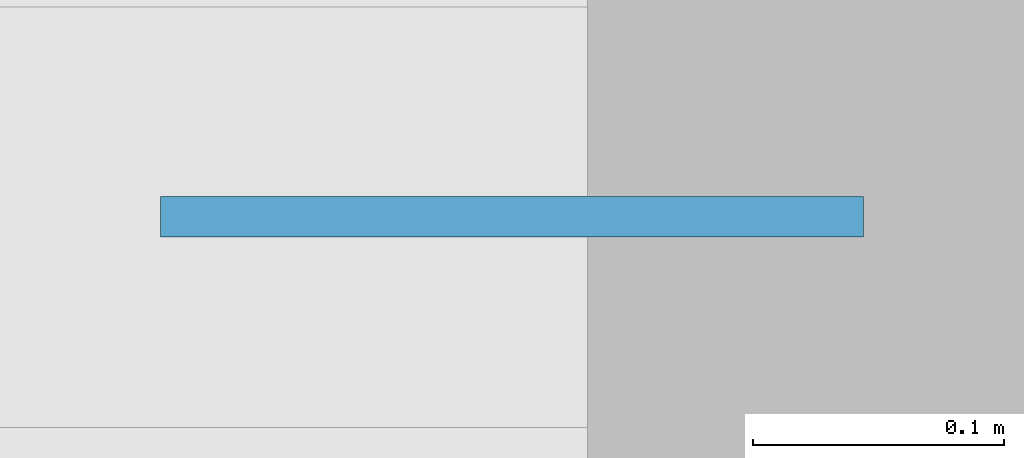
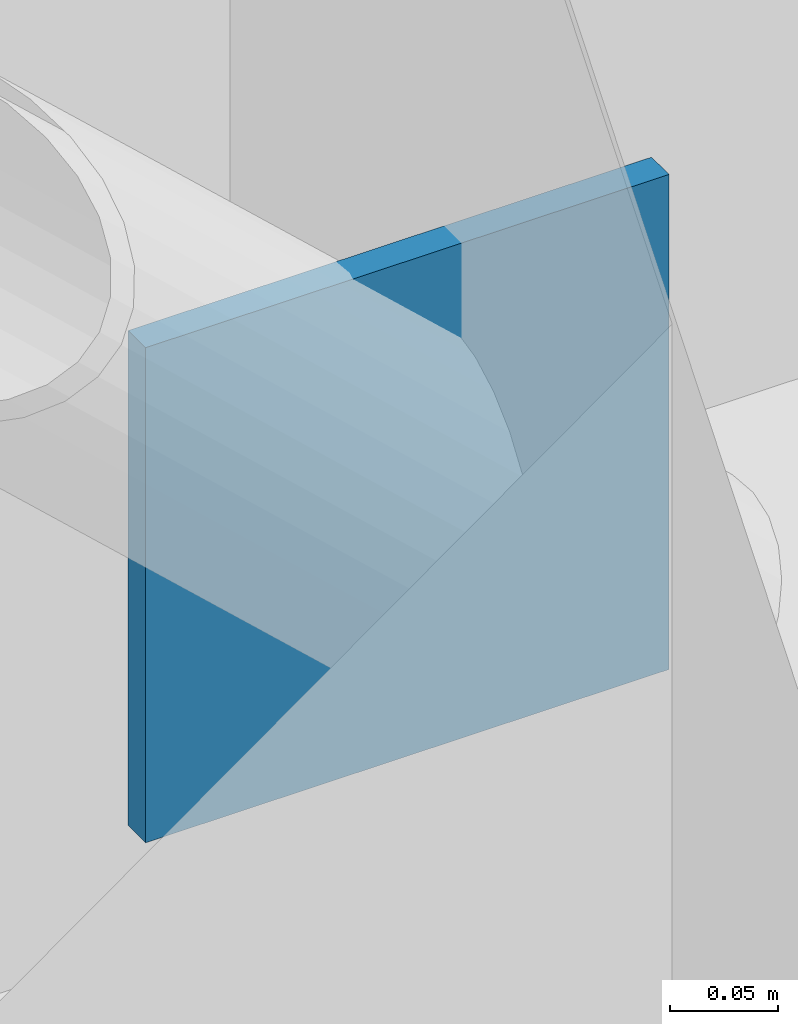
# One storey, part 23 of 33: 1 plate.
"""IFC4 building model written with IfcOpenShell, lengths in metres."""

import ifcopenshell
import ifcopenshell.guid

model = None  # the IFC model being written
_history = None  # IfcOwnerHistory: only IFC2X3 demands one
_inside = {}  # id of a spatial element -> (the spatial element, [elements in it])
_under = {}  # id of a project, library or spatial element -> (it, [spatial elements below it])
_declared = {}  # id of a project -> (the project, [libraries it declares])
_typed = {}  # id of a type object -> (the type object, [elements of that type])
_made_of = {}  # id of a material, layer set ... -> (it, [elements and type objects made of it])


def new_model(schema):
    """Start an empty IFC model of exactly this schema.

    Asked for "IFC4X3", IfcOpenShell would pick the latest addendum, in which some entities
    have other attributes; the version numbers below select the first issue.
    IFC2X3 requires an IfcOwnerHistory on every rooted entity: one is made here for all.
    """
    global model, _history
    if schema == "IFC4X3":
        model = ifcopenshell.file(schema_version=(4, 3, 0, 0))
    else:
        model = ifcopenshell.file(schema=schema)
    _inside.clear()
    _under.clear()
    _declared.clear()
    _typed.clear()
    _made_of.clear()
    _history = None
    if model.schema == "IFC2X3":
        org = make("IfcOrganization", Name="unknown")
        user = make(
            "IfcPersonAndOrganization",
            ThePerson=make("IfcPerson", FamilyName="unknown"),
            TheOrganization=org,
        )
        app = make(
            "IfcApplication",
            ApplicationDeveloper=org,
            Version="unknown",
            ApplicationFullName="unknown",
            ApplicationIdentifier="unknown",
        )
        _history = make(
            "IfcOwnerHistory",
            OwningUser=user,
            OwningApplication=app,
            ChangeAction="ADDED",
            CreationDate=0,
        )
    return model


def make(cls, **values):
    """One entity of the class cls with the attributes given. An attribute that is None is left unset."""
    return model.create_entity(
        cls, **{name: value for name, value in values.items() if value is not None}
    )


def rooted(cls, **values):
    """An entity with a GlobalId (a new one), such as an element, a storey or a relation."""
    return make(cls, GlobalId=ifcopenshell.guid.new(), OwnerHistory=_history, **values)


def si_unit(unit_type, name, prefix=None):
    """IfcSIUnit, for example si_unit("LENGTHUNIT", "METRE", prefix="MILLI")."""
    return make("IfcSIUnit", UnitType=unit_type, Prefix=prefix, Name=name)


def derived_unit(unit_type, elements):
    """IfcDerivedUnit: a product of units, each with its exponent."""
    return make(
        "IfcDerivedUnit",
        Elements=[
            make("IfcDerivedUnitElement", Unit=unit, Exponent=power)
            for unit, power in elements
        ],
        UnitType=unit_type,
    )


def assignment(units):
    """IfcUnitAssignment: the units of a project."""
    return None if units is None else make("IfcUnitAssignment", Units=units)


def point(xyz):
    """IfcCartesianPoint."""
    return None if xyz is None else make("IfcCartesianPoint", Coordinates=xyz)


def direction(xyz):
    """IfcDirection."""
    return None if xyz is None else make("IfcDirection", DirectionRatios=xyz)


def frame(location, z_axis=None, x_axis=None):
    """IfcAxis2Placement3D, a coordinate frame: its origin and axes. An axis left out is left unset."""
    return make(
        "IfcAxis2Placement3D",
        Location=point(location),
        Axis=direction(z_axis),
        RefDirection=direction(x_axis),
    )


def frame_2d(location, x_axis=None):
    """IfcAxis2Placement2D, a coordinate frame in the plane: its origin and x axis."""
    return make(
        "IfcAxis2Placement2D", Location=point(location), RefDirection=direction(x_axis)
    )


def origin():
    """The frame at (0, 0, 0) with its axes left unset."""
    return frame((0.0, 0.0, 0.0))


def origin_2d():
    """The frame at (0, 0) in the plane with its x axis left unset."""
    return frame_2d((0.0, 0.0))


def place(relative_to, where):
    """IfcLocalPlacement: puts the frame where relative to a parent placement (None: the world)."""
    return make(
        "IfcLocalPlacement", PlacementRelTo=relative_to, RelativePlacement=where
    )


def context(
    kind, dimensions, precision=None, world=None, true_north=None, identifier=None
):
    """IfcGeometricRepresentationContext, for example the 3D "Model" context."""
    return make(
        "IfcGeometricRepresentationContext",
        ContextIdentifier=identifier,
        ContextType=kind,
        CoordinateSpaceDimension=dimensions,
        Precision=precision,
        WorldCoordinateSystem=world,
        TrueNorth=true_north,
    )


def subcontext(parent, identifier, kind, view, scale=None):
    """IfcGeometricRepresentationSubContext, for example "Body" below "Model"."""
    return make(
        "IfcGeometricRepresentationSubContext",
        ContextIdentifier=identifier,
        ContextType=kind,
        ParentContext=parent,
        TargetScale=scale,
        TargetView=view,
    )


def project(units=None, contexts=None):
    """IfcProject with its units and contexts."""
    return rooted(
        "IfcProject",
        Name="project",
        RepresentationContexts=contexts,
        UnitsInContext=assignment(units),
    )


def spatial(cls, under=None, at=None, **own):
    """A site, building, storey or space (cls), placed at a placement, below another one or the project."""
    s = rooted(cls, ObjectPlacement=at, **own)
    if under is not None:
        _under.setdefault(under.id(), (under, []))[1].append(s)
    return s


def profile(cls, at=None, kind="AREA", **sizes):
    """A parametric profile (cls). Its sizes go by their IFC names, for example OverallWidth=200.0."""
    return make(cls, ProfileType=kind, Position=at, **sizes)


def rectangle(**sizes):
    """IfcRectangleProfileDef."""
    return profile("IfcRectangleProfileDef", **sizes)


def extrude(swept, where, along, depth):
    """IfcExtrudedAreaSolid: the profile swept, set in the frame where, extruded along a direction by depth."""
    return make(
        "IfcExtrudedAreaSolid",
        SweptArea=swept,
        Position=where,
        ExtrudedDirection=direction(along),
        Depth=depth,
    )


def shape(context_of_items, identifier, shape_type, items):
    """IfcShapeRepresentation: the items that make up one representation, for example the "Body"."""
    return make(
        "IfcShapeRepresentation",
        ContextOfItems=context_of_items,
        RepresentationIdentifier=identifier,
        RepresentationType=shape_type,
        Items=items,
    )


def material(Name=None, Category=None):
    """IfcMaterial."""
    return make("IfcMaterial", Name=Name, Category=Category)


def layer(
    of_material, thickness, ventilated=None, Name=None, Category=None, Priority=None
):
    """IfcMaterialLayer: one layer of a wall or slab, of a material (None: an air gap)."""
    return make(
        "IfcMaterialLayer",
        Material=of_material,
        LayerThickness=thickness,
        IsVentilated=ventilated,
        Name=Name,
        Category=Category,
        Priority=Priority,
    )


def layer_set(layers, Name=None):
    """IfcMaterialLayerSet."""
    return make("IfcMaterialLayerSet", MaterialLayers=layers, LayerSetName=Name)


def made_of(thing, what):
    """Note that an element or type object is made of a material, layer set ...; save() writes the relation."""
    if what is not None:
        _made_of.setdefault(what.id(), (what, []))[1].append(thing)
    return thing


def type_object(cls, material=None, **own):
    """A type object (cls), such as IfcWallType, which elements share."""
    return made_of(rooted(cls, **own), material)


def element(
    cls,
    number,
    at=None,
    inside=None,
    cuts=None,
    type_object=None,
    material=None,
    context=None,
    identifier="Body",
    shape_type=None,
    held_by="IfcProductDefinitionShape",
    body=None,
    shapes=None,
    **own,
):
    """One element of the class cls, such as IfcWall. Its Tag is "e" and its number.

    at: its placement. inside: the storey or other place that contains it. cuts: it is an
    opening in that element (IfcRelVoidsElement). A single representation is given by context,
    identifier, shape_type and body (its items); several are given by shapes. held_by: the class
    of the entity that holds the representations. save() writes the other relations.
    """
    e = rooted(cls, Tag="e%d" % number, ObjectPlacement=at, **own)
    if body is not None:
        shapes = [shape(context, identifier, shape_type, body)]
    if shapes is not None:
        e.Representation = make(held_by, Representations=shapes)
    if inside is not None:
        _inside.setdefault(inside.id(), (inside, []))[1].append(e)
    if cuts is not None:
        rooted(
            "IfcRelVoidsElement", RelatingBuildingElement=cuts, RelatedOpeningElement=e
        )
    if type_object is not None:
        _typed.setdefault(type_object.id(), (type_object, []))[1].append(e)
    return made_of(e, material)


def aggregate(whole, parts):
    """IfcRelAggregates: a whole, such as a stair, and the parts it consists of."""
    return rooted("IfcRelAggregates", RelatingObject=whole, RelatedObjects=parts)


def save(model, path):
    """Write the relations noted so far, then the file.

    IfcRelAggregates (storeys below a building ...), IfcRelContainedInSpatialStructure (elements
    in a storey), IfcRelDefinesByType, IfcRelAssociatesMaterial and IfcRelDeclares: one each for
    every whole, place, type object, material and project.
    """
    for whole, parts in _under.values():
        aggregate(whole, parts)
    for where, things in _inside.values():
        rooted(
            "IfcRelContainedInSpatialStructure",
            RelatedElements=things,
            RelatingStructure=where,
        )
    for kind, things in _typed.values():
        rooted("IfcRelDefinesByType", RelatedObjects=things, RelatingType=kind)
    for what, things in _made_of.values():
        rooted("IfcRelAssociatesMaterial", RelatedObjects=things, RelatingMaterial=what)
    for by, libraries in _declared.values():
        rooted("IfcRelDeclares", RelatingContext=by, RelatedDefinitions=libraries)
    model.write(path)


model = new_model("IFC4")

# Units and contexts
model_context = context("Model", 3, precision=1e-05, world=origin(), true_north=direction((0.0, 1.0)))
body_context = subcontext(model_context, "Body", "Model", "MODEL_VIEW")
ifc_project = project(units=[si_unit("LENGTHUNIT", "METRE"), si_unit("AREAUNIT", "SQUARE_METRE"), si_unit("VOLUMEUNIT", "CUBIC_METRE"), si_unit("PLANEANGLEUNIT", "RADIAN"), si_unit("MASSUNIT", "GRAM", prefix="KILO"), derived_unit("THERMALTRANSMITTANCEUNIT", [(si_unit("MASSUNIT", "GRAM", prefix="KILO"), 1), (si_unit("TIMEUNIT", "SECOND"), -3), (si_unit("THERMODYNAMICTEMPERATUREUNIT", "KELVIN"), -1)])], contexts=[model_context])

# Site, building, storey
site_placement = place(None, origin())
site = spatial("IfcSite", under=ifc_project, at=site_placement, CompositionType="ELEMENT")
building_placement = place(site_placement, origin())
building = spatial("IfcBuilding", under=site, at=building_placement, Name="Qinzheling Arcade Emporium", CompositionType="ELEMENT")
storey_placement = place(building_placement, frame((0.0, 0.0, -9.60009765625)))
storey = spatial("IfcBuildingStorey", under=building, at=storey_placement, Name="B2", CompositionType="ELEMENT", Elevation=-9.60009765625)

# Plate
ifc_material = material(Name="Structural steel Q355B", Category="steel")
ifc_layer = layer(ifc_material, 0.01611328125, Name="Structural steel Q355B", Category="steel")
ifc_layer_set = layer_set([ifc_layer], Name="Structural steel Q355B")
plate_type = type_object("IfcPlateType", Name="Structural Steel Brace Gusset Plate 16mm Q355B", PredefinedType="SHEET", material=ifc_layer_set)
plate_placement = place(storey_placement, frame((60.419921875, 8.39990234375, 0.22998046875), z_axis=(0.0, 0.0, 1.0), x_axis=(1.0, 0.0, 0.0)))
element("IfcPlate", 1, at=plate_placement, inside=storey, type_object=plate_type, Name="Brace Gusset Plate PLT-GP-B2-032", PredefinedType="SHEET", context=body_context, shape_type="SweptSolid", body=[
    extrude(rectangle(XDim=0.280029296875, YDim=0.01611328125, at=origin_2d()), origin(), (0.0, 0.0, 1.0), 0.280029296875),
])

save(model, "model.ifc")
